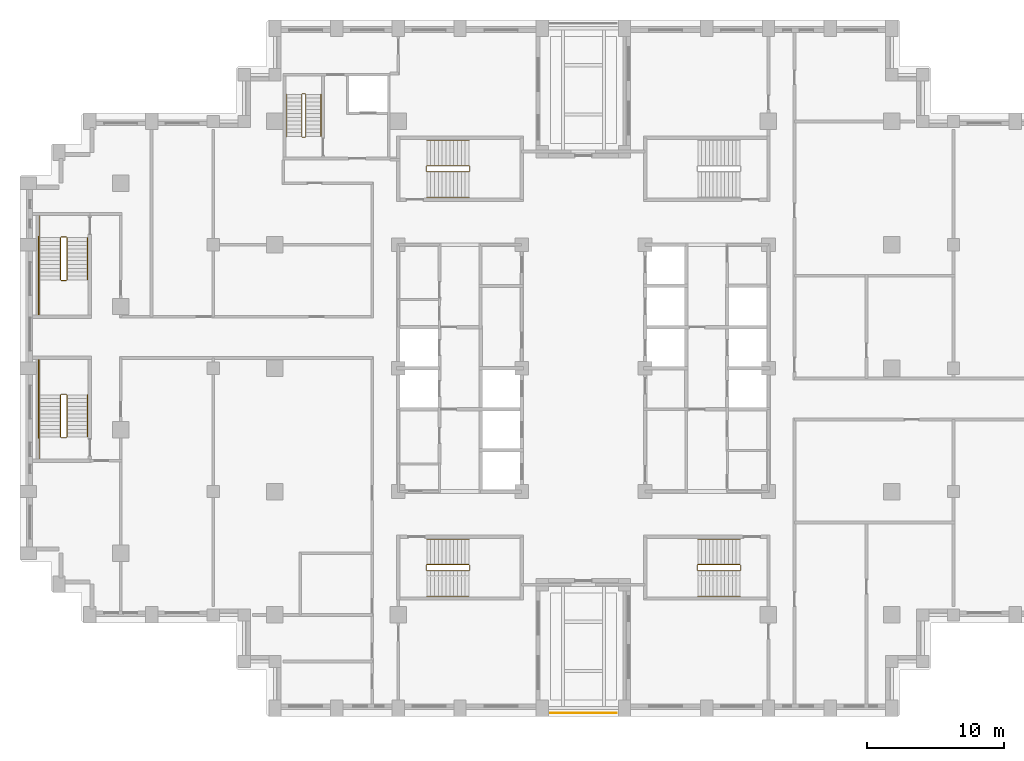
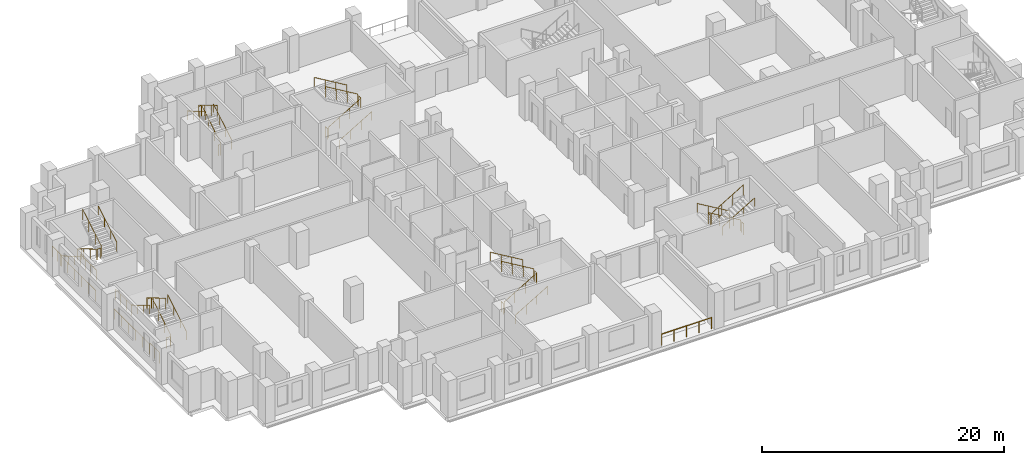
# One storey, part 12 of 13: 7 railings.
"""IFC4 building model written with IfcOpenShell, lengths in metres."""

from ifc_helpers import new_model, si_unit, direction, frame, origin, origin_2d, place, context, subcontext, project, spatial, circle, extrude, material, type_object, element, save


model = new_model("IFC4")

# Units and contexts
model_context = context("Model", 3, precision=1e-05, world=origin(), true_north=direction((0.0, 1.0)))
body_context = subcontext(model_context, "Body", "Model", "MODEL_VIEW")
ifc_project = project(units=[si_unit("LENGTHUNIT", "METRE"), si_unit("AREAUNIT", "SQUARE_METRE"), si_unit("VOLUMEUNIT", "CUBIC_METRE"), si_unit("PLANEANGLEUNIT", "RADIAN"), si_unit("MASSUNIT", "GRAM", prefix="KILO")], contexts=[model_context])

# Site, building, storey
site_placement = place(None, origin())
site = spatial("IfcSite", under=ifc_project, at=site_placement, CompositionType="ELEMENT")
building_placement = place(site_placement, origin())
building = spatial("IfcBuilding", under=site, at=building_placement, Name="Corbelhall Arena Tower", CompositionType="ELEMENT")
storey_placement = place(building_placement, frame((0.0, 0.0, 68.0)))
storey = spatial("IfcBuildingStorey", under=building, at=storey_placement, Name="L09", CompositionType="ELEMENT", Elevation=68.0)

# Railings
ifc_material = material(Name="Steel ASTM A500 Gr C", Category="steel")
railing_type_1 = type_object("IfcRailingType", Name="EV-GD1 Terrace guard 1100", PredefinedType="GUARDRAIL", material=ifc_material)
railing_1_placement = place(storey_placement, frame((-2.39990234375, -25.14990234375, 0.0)))
element("IfcRailing", 1, at=railing_1_placement, inside=storey, type_object=railing_type_1, Name="Guard", PredefinedType="GUARDRAIL", context=body_context, shape_type="SweptSolid", body=[
    extrude(circle(Radius=0.02392578125, at=origin_2d()), frame((0.0, 0.0, 1.1259765625), z_axis=(1.0, 0.0, 0.0), x_axis=(0.0, 1.0, 0.0)), (0.0, 0.0, 1.0), 4.7998046875),
    extrude(circle(Radius=0.02099609375, at=origin_2d()), origin(), (0.0, 0.0, 1.0), 1.101806640625),
    extrude(circle(Radius=0.02099609375, at=origin_2d()), frame((1.199951171875, 0.0, 0.0)), (0.0, 0.0, 1.0), 1.101806640625),
    extrude(circle(Radius=0.02099609375, at=origin_2d()), frame((2.39990234375, 0.0, 0.0)), (0.0, 0.0, 1.0), 1.101806640625),
    extrude(circle(Radius=0.02099609375, at=origin_2d()), frame((3.599853515625, 0.0, 0.0)), (0.0, 0.0, 1.0), 1.101806640625),
    extrude(circle(Radius=0.02099609375, at=origin_2d()), frame((4.7998046875, 0.0, 0.0)), (0.0, 0.0, 1.0), 1.101806640625),
])
railing_type_2 = type_object("IfcRailingType", Name="IN-GD-1100", PredefinedType="GUARDRAIL", material=ifc_material)
railing_2_placement = place(storey_placement, frame((-11.425048828125, 14.324951171875, 0.166748046875)))
element("IfcRailing", 2, at=railing_2_placement, inside=storey, type_object=railing_type_2, Name="L09 ST1 stair guards and handrails", PredefinedType="GUARDRAIL", context=body_context, shape_type="SweptSolid", body=[
    extrude(circle(Radius=0.02392578125, at=origin_2d()), frame((0.0, 0.0, 1.076171875), z_axis=(0.859308565015, 0.0, 0.511457515432), x_axis=(0.0, 1.0, 0.0)), (0.0, 0.0, 1.0), 3.58447265625),
    extrude(circle(Radius=0.02392578125, at=origin_2d()), frame((3.130126953125, 0.050048828125, 2.9091796875), z_axis=(0.0, 1.0, 0.0), x_axis=(-1.0, 0.0, 0.0)), (0.0, 0.0, 1.0), 0.35009765625),
    extrude(circle(Radius=0.02392578125, at=origin_2d()), frame((3.080078125, 0.449951171875, 3.076171875), z_axis=(-0.859308565015, 0.0, 0.511457515432), x_axis=(0.0, -1.0, 0.0)), (0.0, 0.0, 1.0), 3.58447265625),
    extrude(circle(Radius=0.02392578125, at=origin_2d()), frame((-0.050048828125, 0.050048828125, 0.9091796875), z_axis=(0.0, 1.0, 0.0), x_axis=(-1.0, 0.0, 0.0)), (0.0, 0.0, 1.0), 0.35009765625),
    extrude(circle(Radius=0.02392578125, at=origin_2d()), frame((0.0, -1.849853515625, 0.8759765625), z_axis=(0.859308565015, 0.0, 0.511457515432), x_axis=(0.0, 1.0, 0.0)), (0.0, 0.0, 1.0), 3.58447265625),
    extrude(circle(Radius=0.02392578125, at=origin_2d()), frame((3.080078125, 2.300048828125, 2.8759765625), z_axis=(-0.859308565015, 0.0, 0.511457515432), x_axis=(0.0, -1.0, 0.0)), (0.0, 0.0, 1.0), 3.58447265625),
    extrude(circle(Radius=0.02099609375, at=origin_2d()), origin(), (0.0, 0.0, 1.0), 1.052001953125),
    extrude(circle(Radius=0.02099609375, at=origin_2d()), frame((1.026611328125, 0.0, 0.611083984375)), (0.0, 0.0, 1.0), 1.052001953125),
    extrude(circle(Radius=0.02099609375, at=origin_2d()), frame((2.053466796875, 0.0, 1.22216796875)), (0.0, 0.0, 1.0), 1.052001953125),
    extrude(circle(Radius=0.02099609375, at=origin_2d()), frame((3.080078125, 0.0, 1.833251953125)), (0.0, 0.0, 1.0), 1.052001953125),
    extrude(circle(Radius=0.02099609375, at=origin_2d()), frame((3.130126953125, 0.050048828125, 1.833251953125)), (0.0, 0.0, 1.0), 1.052001953125),
    extrude(circle(Radius=0.02099609375, at=origin_2d()), frame((3.130126953125, 0.400146484375, 1.833251953125)), (0.0, 0.0, 1.0), 1.052001953125),
    extrude(circle(Radius=0.02099609375, at=origin_2d()), frame((3.080078125, 0.449951171875, 2.0)), (0.0, 0.0, 1.0), 1.052001953125),
    extrude(circle(Radius=0.02099609375, at=origin_2d()), frame((2.053466796875, 0.449951171875, 2.611083984375)), (0.0, 0.0, 1.0), 1.052001953125),
    extrude(circle(Radius=0.02099609375, at=origin_2d()), frame((1.026611328125, 0.449951171875, 3.22216796875)), (0.0, 0.0, 1.0), 1.052001953125),
    extrude(circle(Radius=0.02099609375, at=origin_2d()), frame((0.0, 0.449951171875, 3.833251953125)), (0.0, 0.0, 1.0), 1.052001953125),
    extrude(circle(Radius=0.02099609375, at=origin_2d()), frame((-0.050048828125, 0.050048828125, -0.166748046875)), (0.0, 0.0, 1.0), 1.052001953125),
    extrude(circle(Radius=0.02099609375, at=origin_2d()), frame((-0.050048828125, 0.400146484375, -0.166748046875)), (0.0, 0.0, 1.0), 1.052001953125),
    extrude(circle(Radius=0.02099609375, at=origin_2d()), frame((0.0, -1.849853515625, 0.0)), (0.0, 0.0, 1.0), 0.851806640625),
    extrude(circle(Radius=0.02099609375, at=origin_2d()), frame((1.026611328125, -1.849853515625, 0.611083984375)), (0.0, 0.0, 1.0), 0.851806640625),
    extrude(circle(Radius=0.02099609375, at=origin_2d()), frame((2.053466796875, -1.849853515625, 1.22216796875)), (0.0, 0.0, 1.0), 0.851806640625),
    extrude(circle(Radius=0.02099609375, at=origin_2d()), frame((3.080078125, -1.849853515625, 1.833251953125)), (0.0, 0.0, 1.0), 0.851806640625),
    extrude(circle(Radius=0.02099609375, at=origin_2d()), frame((3.080078125, 2.300048828125, 2.0)), (0.0, 0.0, 1.0), 0.851806640625),
    extrude(circle(Radius=0.02099609375, at=origin_2d()), frame((2.053466796875, 2.300048828125, 2.611083984375)), (0.0, 0.0, 1.0), 0.851806640625),
    extrude(circle(Radius=0.02099609375, at=origin_2d()), frame((1.026611328125, 2.300048828125, 3.22216796875)), (0.0, 0.0, 1.0), 0.851806640625),
    extrude(circle(Radius=0.02099609375, at=origin_2d()), frame((0.0, 2.300048828125, 3.833251953125)), (0.0, 0.0, 1.0), 0.851806640625),
])
railing_3_placement = place(storey_placement, frame((-11.425048828125, -14.77490234375, 0.166748046875)))
element("IfcRailing", 3, at=railing_3_placement, inside=storey, type_object=railing_type_2, Name="L09 ST2 stair guards and handrails", PredefinedType="GUARDRAIL", context=body_context, shape_type="SweptSolid", body=[
    extrude(circle(Radius=0.02392578125, at=origin_2d()), frame((0.0, 0.0, 1.076171875), z_axis=(0.859308565015, 0.0, 0.511457515432), x_axis=(0.0, 1.0, 0.0)), (0.0, 0.0, 1.0), 3.58447265625),
    extrude(circle(Radius=0.02392578125, at=origin_2d()), frame((3.130126953125, 0.0498046875, 2.9091796875), z_axis=(0.0, 1.0, 0.0), x_axis=(-1.0, 0.0, 0.0)), (0.0, 0.0, 1.0), 0.35009765625),
    extrude(circle(Radius=0.02392578125, at=origin_2d()), frame((3.080078125, 0.449951171875, 3.076171875), z_axis=(-0.859308565015, 0.0, 0.511457515432), x_axis=(0.0, -1.0, 0.0)), (0.0, 0.0, 1.0), 3.58447265625),
    extrude(circle(Radius=0.02392578125, at=origin_2d()), frame((-0.050048828125, 0.0498046875, 0.9091796875), z_axis=(0.0, 1.0, 0.0), x_axis=(-1.0, 0.0, 0.0)), (0.0, 0.0, 1.0), 0.35009765625),
    extrude(circle(Radius=0.02392578125, at=origin_2d()), frame((0.0, -1.85009765625, 0.8759765625), z_axis=(0.859308565015, 0.0, 0.511457515432), x_axis=(0.0, 1.0, 0.0)), (0.0, 0.0, 1.0), 3.58447265625),
    extrude(circle(Radius=0.02392578125, at=origin_2d()), frame((3.080078125, 2.2998046875, 2.8759765625), z_axis=(-0.859308565015, 0.0, 0.511457515432), x_axis=(0.0, -1.0, 0.0)), (0.0, 0.0, 1.0), 3.58447265625),
    extrude(circle(Radius=0.02099609375, at=origin_2d()), origin(), (0.0, 0.0, 1.0), 1.052001953125),
    extrude(circle(Radius=0.02099609375, at=origin_2d()), frame((1.026611328125, 0.0, 0.611083984375)), (0.0, 0.0, 1.0), 1.052001953125),
    extrude(circle(Radius=0.02099609375, at=origin_2d()), frame((2.053466796875, 0.0, 1.22216796875)), (0.0, 0.0, 1.0), 1.052001953125),
    extrude(circle(Radius=0.02099609375, at=origin_2d()), frame((3.080078125, 0.0, 1.833251953125)), (0.0, 0.0, 1.0), 1.052001953125),
    extrude(circle(Radius=0.02099609375, at=origin_2d()), frame((3.130126953125, 0.0498046875, 1.833251953125)), (0.0, 0.0, 1.0), 1.052001953125),
    extrude(circle(Radius=0.02099609375, at=origin_2d()), frame((3.130126953125, 0.39990234375, 1.833251953125)), (0.0, 0.0, 1.0), 1.052001953125),
    extrude(circle(Radius=0.02099609375, at=origin_2d()), frame((3.080078125, 0.449951171875, 2.0)), (0.0, 0.0, 1.0), 1.052001953125),
    extrude(circle(Radius=0.02099609375, at=origin_2d()), frame((2.053466796875, 0.449951171875, 2.611083984375)), (0.0, 0.0, 1.0), 1.052001953125),
    extrude(circle(Radius=0.02099609375, at=origin_2d()), frame((1.026611328125, 0.449951171875, 3.22216796875)), (0.0, 0.0, 1.0), 1.052001953125),
    extrude(circle(Radius=0.02099609375, at=origin_2d()), frame((0.0, 0.449951171875, 3.833251953125)), (0.0, 0.0, 1.0), 1.052001953125),
    extrude(circle(Radius=0.02099609375, at=origin_2d()), frame((-0.050048828125, 0.0498046875, -0.166748046875)), (0.0, 0.0, 1.0), 1.052001953125),
    extrude(circle(Radius=0.02099609375, at=origin_2d()), frame((-0.050048828125, 0.39990234375, -0.166748046875)), (0.0, 0.0, 1.0), 1.052001953125),
    extrude(circle(Radius=0.02099609375, at=origin_2d()), frame((0.0, -1.85009765625, 0.0)), (0.0, 0.0, 1.0), 0.851806640625),
    extrude(circle(Radius=0.02099609375, at=origin_2d()), frame((1.026611328125, -1.85009765625, 0.611083984375)), (0.0, 0.0, 1.0), 0.851806640625),
    extrude(circle(Radius=0.02099609375, at=origin_2d()), frame((2.053466796875, -1.85009765625, 1.22216796875)), (0.0, 0.0, 1.0), 0.851806640625),
    extrude(circle(Radius=0.02099609375, at=origin_2d()), frame((3.080078125, -1.85009765625, 1.833251953125)), (0.0, 0.0, 1.0), 0.851806640625),
    extrude(circle(Radius=0.02099609375, at=origin_2d()), frame((3.080078125, 2.2998046875, 2.0)), (0.0, 0.0, 1.0), 0.851806640625),
    extrude(circle(Radius=0.02099609375, at=origin_2d()), frame((2.053466796875, 2.2998046875, 2.611083984375)), (0.0, 0.0, 1.0), 0.851806640625),
    extrude(circle(Radius=0.02099609375, at=origin_2d()), frame((1.026611328125, 2.2998046875, 3.22216796875)), (0.0, 0.0, 1.0), 0.851806640625),
    extrude(circle(Radius=0.02099609375, at=origin_2d()), frame((0.0, 2.2998046875, 3.833251953125)), (0.0, 0.0, 1.0), 0.851806640625),
])
railing_4_placement = place(storey_placement, frame((11.425048828125, -14.324951171875, 0.166748046875)))
element("IfcRailing", 4, at=railing_4_placement, inside=storey, type_object=railing_type_2, Name="L09 ST4 stair guards and handrails", PredefinedType="GUARDRAIL", context=body_context, shape_type="SweptSolid", body=[
    extrude(circle(Radius=0.02392578125, at=origin_2d()), frame((0.0, 0.0, 1.076171875), z_axis=(-0.859308565015, 0.0, 0.511457515432), x_axis=(0.0, -1.0, 0.0)), (0.0, 0.0, 1.0), 3.58447265625),
    extrude(circle(Radius=0.02392578125, at=origin_2d()), frame((-3.130126953125, -0.050048828125, 2.9091796875), z_axis=(0.0, -1.0, 0.0), x_axis=(1.0, 0.0, 0.0)), (0.0, 0.0, 1.0), 0.35009765625),
    extrude(circle(Radius=0.02392578125, at=origin_2d()), frame((-3.080078125, -0.449951171875, 3.076171875), z_axis=(0.859308565015, 0.0, 0.511457515432), x_axis=(0.0, 1.0, 0.0)), (0.0, 0.0, 1.0), 3.58447265625),
    extrude(circle(Radius=0.02392578125, at=origin_2d()), frame((0.050048828125, -0.050048828125, 0.9091796875), z_axis=(0.0, -1.0, 0.0), x_axis=(1.0, 0.0, 0.0)), (0.0, 0.0, 1.0), 0.35009765625),
    extrude(circle(Radius=0.02392578125, at=origin_2d()), frame((0.0, 1.849853515625, 0.8759765625), z_axis=(-0.859308565015, 0.0, 0.511457515432), x_axis=(0.0, -1.0, 0.0)), (0.0, 0.0, 1.0), 3.58447265625),
    extrude(circle(Radius=0.02392578125, at=origin_2d()), frame((-3.080078125, -2.300048828125, 2.8759765625), z_axis=(0.859308565015, 0.0, 0.511457515432), x_axis=(0.0, 1.0, 0.0)), (0.0, 0.0, 1.0), 3.58447265625),
    extrude(circle(Radius=0.02099609375, at=origin_2d()), origin(), (0.0, 0.0, 1.0), 1.052001953125),
    extrude(circle(Radius=0.02099609375, at=origin_2d()), frame((-1.026611328125, 0.0, 0.611083984375)), (0.0, 0.0, 1.0), 1.052001953125),
    extrude(circle(Radius=0.02099609375, at=origin_2d()), frame((-2.053466796875, 0.0, 1.22216796875)), (0.0, 0.0, 1.0), 1.052001953125),
    extrude(circle(Radius=0.02099609375, at=origin_2d()), frame((-3.080078125, 0.0, 1.833251953125)), (0.0, 0.0, 1.0), 1.052001953125),
    extrude(circle(Radius=0.02099609375, at=origin_2d()), frame((-3.130126953125, -0.050048828125, 1.833251953125)), (0.0, 0.0, 1.0), 1.052001953125),
    extrude(circle(Radius=0.02099609375, at=origin_2d()), frame((-3.130126953125, -0.400146484375, 1.833251953125)), (0.0, 0.0, 1.0), 1.052001953125),
    extrude(circle(Radius=0.02099609375, at=origin_2d()), frame((-3.080078125, -0.449951171875, 2.0)), (0.0, 0.0, 1.0), 1.052001953125),
    extrude(circle(Radius=0.02099609375, at=origin_2d()), frame((-2.053466796875, -0.449951171875, 2.611083984375)), (0.0, 0.0, 1.0), 1.052001953125),
    extrude(circle(Radius=0.02099609375, at=origin_2d()), frame((-1.026611328125, -0.449951171875, 3.22216796875)), (0.0, 0.0, 1.0), 1.052001953125),
    extrude(circle(Radius=0.02099609375, at=origin_2d()), frame((0.0, -0.449951171875, 3.833251953125)), (0.0, 0.0, 1.0), 1.052001953125),
    extrude(circle(Radius=0.02099609375, at=origin_2d()), frame((0.050048828125, -0.050048828125, -0.166748046875)), (0.0, 0.0, 1.0), 1.052001953125),
    extrude(circle(Radius=0.02099609375, at=origin_2d()), frame((0.050048828125, -0.400146484375, -0.166748046875)), (0.0, 0.0, 1.0), 1.052001953125),
    extrude(circle(Radius=0.02099609375, at=origin_2d()), frame((0.0, 1.849853515625, 0.0)), (0.0, 0.0, 1.0), 0.851806640625),
    extrude(circle(Radius=0.02099609375, at=origin_2d()), frame((-1.026611328125, 1.849853515625, 0.611083984375)), (0.0, 0.0, 1.0), 0.851806640625),
    extrude(circle(Radius=0.02099609375, at=origin_2d()), frame((-2.053466796875, 1.849853515625, 1.22216796875)), (0.0, 0.0, 1.0), 0.851806640625),
    extrude(circle(Radius=0.02099609375, at=origin_2d()), frame((-3.080078125, 1.849853515625, 1.833251953125)), (0.0, 0.0, 1.0), 0.851806640625),
    extrude(circle(Radius=0.02099609375, at=origin_2d()), frame((-3.080078125, -2.300048828125, 2.0)), (0.0, 0.0, 1.0), 0.851806640625),
    extrude(circle(Radius=0.02099609375, at=origin_2d()), frame((-2.053466796875, -2.300048828125, 2.611083984375)), (0.0, 0.0, 1.0), 0.851806640625),
    extrude(circle(Radius=0.02099609375, at=origin_2d()), frame((-1.026611328125, -2.300048828125, 3.22216796875)), (0.0, 0.0, 1.0), 0.851806640625),
    extrude(circle(Radius=0.02099609375, at=origin_2d()), frame((0.0, -2.300048828125, 3.833251953125)), (0.0, 0.0, 1.0), 0.851806640625),
])
railing_5_placement = place(storey_placement, frame((-38.14990234375, 9.52490234375, 0.166748046875)))
element("IfcRailing", 5, at=railing_5_placement, inside=storey, type_object=railing_type_2, Name="L09 SC1 stair guards and handrails", PredefinedType="GUARDRAIL", context=body_context, shape_type="SweptSolid", body=[
    extrude(circle(Radius=0.02392578125, at=origin_2d()), frame((0.0, 0.0, 1.076171875), z_axis=(0.0, -0.859290745958, 0.51148745235), x_axis=(1.0, 0.0, 0.0)), (0.0, 0.0, 1.0), 3.584228515625),
    extrude(circle(Radius=0.02392578125, at=origin_2d()), frame((0.0498046875, -3.1298828125, 2.9091796875), z_axis=(1.0, 0.0, 0.0), x_axis=(0.0, 1.0, 0.0)), (0.0, 0.0, 1.0), 0.375),
    extrude(circle(Radius=0.02392578125, at=origin_2d()), frame((-1.5, -3.079833984375, 2.9091796875), z_axis=(0.0, -1.0, 0.0), x_axis=(1.0, 0.0, 0.0)), (0.0, 0.0, 1.0), 2.570068359375),
    extrude(circle(Radius=0.02392578125, at=origin_2d()), frame((0.474853515625, -3.079833984375, 3.076171875), z_axis=(0.0, 0.859290745958, 0.51148745235), x_axis=(-1.0, 0.0, 0.0)), (0.0, 0.0, 1.0), 3.584228515625),
    extrude(circle(Radius=0.02392578125, at=origin_2d()), frame((0.0498046875, 0.050048828125, 0.9091796875), z_axis=(1.0, 0.0, 0.0), x_axis=(0.0, 1.0, 0.0)), (0.0, 0.0, 1.0), 0.375),
    extrude(circle(Radius=0.02392578125, at=origin_2d()), frame((-1.5, 1.60009765625, 0.9091796875), z_axis=(0.0, -1.0, 0.0), x_axis=(1.0, 0.0, 0.0)), (0.0, 0.0, 1.0), 1.60009765625),
    extrude(circle(Radius=0.02392578125, at=origin_2d()), frame((-1.60009765625, 0.10009765625, 0.9091796875), z_axis=(0.0, -1.0, 0.0), x_axis=(1.0, 0.0, 0.0)), (0.0, 0.0, 1.0), 5.85009765625),
    extrude(circle(Radius=0.02392578125, at=origin_2d()), frame((-1.5, 0.0, 0.8759765625), z_axis=(0.0, -0.859290745958, 0.51148745235), x_axis=(1.0, 0.0, 0.0)), (0.0, 0.0, 1.0), 3.584228515625),
    extrude(circle(Radius=0.02392578125, at=origin_2d()), frame((1.974853515625, -3.079833984375, 2.8759765625), z_axis=(0.0, 0.859290745958, 0.51148745235), x_axis=(-1.0, 0.0, 0.0)), (0.0, 0.0, 1.0), 3.584228515625),
    extrude(circle(Radius=0.02099609375, at=origin_2d()), origin(), (0.0, 0.0, 1.0), 1.052001953125),
    extrude(circle(Radius=0.02099609375, at=origin_2d()), frame((0.0, -1.026611328125, 0.611083984375)), (0.0, 0.0, 1.0), 1.052001953125),
    extrude(circle(Radius=0.02099609375, at=origin_2d()), frame((0.0, -2.05322265625, 1.22216796875)), (0.0, 0.0, 1.0), 1.052001953125),
    extrude(circle(Radius=0.02099609375, at=origin_2d()), frame((0.0, -3.079833984375, 1.833251953125)), (0.0, 0.0, 1.0), 1.052001953125),
    extrude(circle(Radius=0.02099609375, at=origin_2d()), frame((0.0498046875, -3.1298828125, 1.833251953125)), (0.0, 0.0, 1.0), 1.052001953125),
    extrude(circle(Radius=0.02099609375, at=origin_2d()), frame((0.4248046875, -3.1298828125, 1.833251953125)), (0.0, 0.0, 1.0), 1.052001953125),
    extrude(circle(Radius=0.02099609375, at=origin_2d()), frame((-1.5, -3.079833984375, 1.833251953125)), (0.0, 0.0, 1.0), 1.052001953125),
    extrude(circle(Radius=0.02099609375, at=origin_2d()), frame((-1.5, -3.9365234375, 1.833251953125)), (0.0, 0.0, 1.0), 1.052001953125),
    extrude(circle(Radius=0.02099609375, at=origin_2d()), frame((-1.5, -4.793212890625, 1.833251953125)), (0.0, 0.0, 1.0), 1.052001953125),
    extrude(circle(Radius=0.02099609375, at=origin_2d()), frame((-1.5, -5.64990234375, 1.833251953125)), (0.0, 0.0, 1.0), 1.052001953125),
    extrude(circle(Radius=0.02099609375, at=origin_2d()), frame((0.474853515625, -3.079833984375, 2.0)), (0.0, 0.0, 1.0), 1.052001953125),
    extrude(circle(Radius=0.02099609375, at=origin_2d()), frame((0.474853515625, -2.05322265625, 2.611083984375)), (0.0, 0.0, 1.0), 1.052001953125),
    extrude(circle(Radius=0.02099609375, at=origin_2d()), frame((0.474853515625, -1.026611328125, 3.22216796875)), (0.0, 0.0, 1.0), 1.052001953125),
    extrude(circle(Radius=0.02099609375, at=origin_2d()), frame((0.474853515625, 0.0, 3.833251953125)), (0.0, 0.0, 1.0), 1.052001953125),
    extrude(circle(Radius=0.02099609375, at=origin_2d()), frame((0.0498046875, 0.050048828125, -0.166748046875)), (0.0, 0.0, 1.0), 1.052001953125),
    extrude(circle(Radius=0.02099609375, at=origin_2d()), frame((0.4248046875, 0.050048828125, -0.166748046875)), (0.0, 0.0, 1.0), 1.052001953125),
    extrude(circle(Radius=0.02099609375, at=origin_2d()), frame((-1.5, 1.60009765625, -0.166748046875)), (0.0, 0.0, 1.0), 1.052001953125),
    extrude(circle(Radius=0.02099609375, at=origin_2d()), frame((-1.5, 0.800048828125, -0.166748046875)), (0.0, 0.0, 1.0), 1.052001953125),
    extrude(circle(Radius=0.02099609375, at=origin_2d()), frame((-1.5, 0.0, -0.166748046875)), (0.0, 0.0, 1.0), 1.052001953125),
    extrude(circle(Radius=0.02099609375, at=origin_2d()), frame((-1.60009765625, 0.10009765625, -0.166748046875)), (0.0, 0.0, 1.0), 1.052001953125),
    extrude(circle(Radius=0.02099609375, at=origin_2d()), frame((-1.60009765625, -1.06982421875, -0.166748046875)), (0.0, 0.0, 1.0), 1.052001953125),
    extrude(circle(Radius=0.02099609375, at=origin_2d()), frame((-1.60009765625, -2.239990234375, -0.166748046875)), (0.0, 0.0, 1.0), 1.052001953125),
    extrude(circle(Radius=0.02099609375, at=origin_2d()), frame((-1.60009765625, -3.409912109375, -0.166748046875)), (0.0, 0.0, 1.0), 1.052001953125),
    extrude(circle(Radius=0.02099609375, at=origin_2d()), frame((-1.60009765625, -4.580078125, -0.166748046875)), (0.0, 0.0, 1.0), 1.052001953125),
    extrude(circle(Radius=0.02099609375, at=origin_2d()), frame((-1.60009765625, -5.75, -0.166748046875)), (0.0, 0.0, 1.0), 1.052001953125),
    extrude(circle(Radius=0.02099609375, at=origin_2d()), frame((-1.5, 0.0, 0.0)), (0.0, 0.0, 1.0), 0.851806640625),
    extrude(circle(Radius=0.02099609375, at=origin_2d()), frame((-1.5, -1.026611328125, 0.611083984375)), (0.0, 0.0, 1.0), 0.851806640625),
    extrude(circle(Radius=0.02099609375, at=origin_2d()), frame((-1.5, -2.05322265625, 1.22216796875)), (0.0, 0.0, 1.0), 0.851806640625),
    extrude(circle(Radius=0.02099609375, at=origin_2d()), frame((1.974853515625, -3.079833984375, 2.0)), (0.0, 0.0, 1.0), 0.851806640625),
    extrude(circle(Radius=0.02099609375, at=origin_2d()), frame((1.974853515625, -2.05322265625, 2.611083984375)), (0.0, 0.0, 1.0), 0.851806640625),
    extrude(circle(Radius=0.02099609375, at=origin_2d()), frame((1.974853515625, -1.026611328125, 3.22216796875)), (0.0, 0.0, 1.0), 0.851806640625),
    extrude(circle(Radius=0.02099609375, at=origin_2d()), frame((1.974853515625, 0.0, 3.833251953125)), (0.0, 0.0, 1.0), 0.851806640625),
])
railing_6_placement = place(storey_placement, frame((-37.675048828125, -5.02490234375, 0.166748046875)))
element("IfcRailing", 6, at=railing_6_placement, inside=storey, type_object=railing_type_2, Name="L09 SC2 stair guards and handrails", PredefinedType="GUARDRAIL", context=body_context, shape_type="SweptSolid", body=[
    extrude(circle(Radius=0.02392578125, at=origin_2d()), frame((0.0, 0.0, 1.076171875), z_axis=(0.0, 0.859290745958, 0.51148745235), x_axis=(-1.0, 0.0, 0.0)), (0.0, 0.0, 1.0), 3.584228515625),
    extrude(circle(Radius=0.02392578125, at=origin_2d()), frame((-0.050048828125, 3.1298828125, 2.9091796875), z_axis=(-1.0, 0.0, 0.0), x_axis=(0.0, -1.0, 0.0)), (0.0, 0.0, 1.0), 0.375),
    extrude(circle(Radius=0.02392578125, at=origin_2d()), frame((-1.974853515625, 3.079833984375, 2.9091796875), z_axis=(0.0, 1.0, 0.0), x_axis=(-1.0, 0.0, 0.0)), (0.0, 0.0, 1.0), 2.570068359375),
    extrude(circle(Radius=0.02392578125, at=origin_2d()), frame((-0.474853515625, 3.079833984375, 3.076171875), z_axis=(0.0, -0.859290745958, 0.51148745235), x_axis=(1.0, 0.0, 0.0)), (0.0, 0.0, 1.0), 3.584228515625),
    extrude(circle(Radius=0.02392578125, at=origin_2d()), frame((-0.050048828125, -0.050048828125, 0.9091796875), z_axis=(-1.0, 0.0, 0.0), x_axis=(0.0, -1.0, 0.0)), (0.0, 0.0, 1.0), 0.375),
    extrude(circle(Radius=0.02392578125, at=origin_2d()), frame((-1.974853515625, -1.60009765625, 0.9091796875), z_axis=(0.0, 1.0, 0.0), x_axis=(-1.0, 0.0, 0.0)), (0.0, 0.0, 1.0), 1.60009765625),
    extrude(circle(Radius=0.02392578125, at=origin_2d()), frame((-2.074951171875, -0.10009765625, 0.9091796875), z_axis=(0.0, 1.0, 0.0), x_axis=(-1.0, 0.0, 0.0)), (0.0, 0.0, 1.0), 5.85009765625),
    extrude(circle(Radius=0.02392578125, at=origin_2d()), frame((1.5, 0.0, 0.8759765625), z_axis=(0.0, 0.859290745958, 0.51148745235), x_axis=(-1.0, 0.0, 0.0)), (0.0, 0.0, 1.0), 3.584228515625),
    extrude(circle(Radius=0.02392578125, at=origin_2d()), frame((-1.974853515625, 3.079833984375, 2.8759765625), z_axis=(0.0, -0.859290745958, 0.51148745235), x_axis=(1.0, 0.0, 0.0)), (0.0, 0.0, 1.0), 3.584228515625),
    extrude(circle(Radius=0.02099609375, at=origin_2d()), origin(), (0.0, 0.0, 1.0), 1.052001953125),
    extrude(circle(Radius=0.02099609375, at=origin_2d()), frame((0.0, 1.026611328125, 0.611083984375)), (0.0, 0.0, 1.0), 1.052001953125),
    extrude(circle(Radius=0.02099609375, at=origin_2d()), frame((0.0, 2.05322265625, 1.22216796875)), (0.0, 0.0, 1.0), 1.052001953125),
    extrude(circle(Radius=0.02099609375, at=origin_2d()), frame((0.0, 3.079833984375, 1.833251953125)), (0.0, 0.0, 1.0), 1.052001953125),
    extrude(circle(Radius=0.02099609375, at=origin_2d()), frame((-0.050048828125, 3.1298828125, 1.833251953125)), (0.0, 0.0, 1.0), 1.052001953125),
    extrude(circle(Radius=0.02099609375, at=origin_2d()), frame((-0.425048828125, 3.1298828125, 1.833251953125)), (0.0, 0.0, 1.0), 1.052001953125),
    extrude(circle(Radius=0.02099609375, at=origin_2d()), frame((-1.974853515625, 3.079833984375, 1.833251953125)), (0.0, 0.0, 1.0), 1.052001953125),
    extrude(circle(Radius=0.02099609375, at=origin_2d()), frame((-1.974853515625, 3.9365234375, 1.833251953125)), (0.0, 0.0, 1.0), 1.052001953125),
    extrude(circle(Radius=0.02099609375, at=origin_2d()), frame((-1.974853515625, 4.793212890625, 1.833251953125)), (0.0, 0.0, 1.0), 1.052001953125),
    extrude(circle(Radius=0.02099609375, at=origin_2d()), frame((-1.974853515625, 5.64990234375, 1.833251953125)), (0.0, 0.0, 1.0), 1.052001953125),
    extrude(circle(Radius=0.02099609375, at=origin_2d()), frame((-0.474853515625, 3.079833984375, 2.0)), (0.0, 0.0, 1.0), 1.052001953125),
    extrude(circle(Radius=0.02099609375, at=origin_2d()), frame((-0.474853515625, 2.05322265625, 2.611083984375)), (0.0, 0.0, 1.0), 1.052001953125),
    extrude(circle(Radius=0.02099609375, at=origin_2d()), frame((-0.474853515625, 1.026611328125, 3.22216796875)), (0.0, 0.0, 1.0), 1.052001953125),
    extrude(circle(Radius=0.02099609375, at=origin_2d()), frame((-0.474853515625, 0.0, 3.833251953125)), (0.0, 0.0, 1.0), 1.052001953125),
    extrude(circle(Radius=0.02099609375, at=origin_2d()), frame((-0.050048828125, -0.050048828125, -0.166748046875)), (0.0, 0.0, 1.0), 1.052001953125),
    extrude(circle(Radius=0.02099609375, at=origin_2d()), frame((-0.425048828125, -0.050048828125, -0.166748046875)), (0.0, 0.0, 1.0), 1.052001953125),
    extrude(circle(Radius=0.02099609375, at=origin_2d()), frame((-1.974853515625, -1.60009765625, -0.166748046875)), (0.0, 0.0, 1.0), 1.052001953125),
    extrude(circle(Radius=0.02099609375, at=origin_2d()), frame((-1.974853515625, -0.800048828125, -0.166748046875)), (0.0, 0.0, 1.0), 1.052001953125),
    extrude(circle(Radius=0.02099609375, at=origin_2d()), frame((-1.974853515625, 0.0, -0.166748046875)), (0.0, 0.0, 1.0), 1.052001953125),
    extrude(circle(Radius=0.02099609375, at=origin_2d()), frame((-2.074951171875, -0.10009765625, -0.166748046875)), (0.0, 0.0, 1.0), 1.052001953125),
    extrude(circle(Radius=0.02099609375, at=origin_2d()), frame((-2.074951171875, 1.06982421875, -0.166748046875)), (0.0, 0.0, 1.0), 1.052001953125),
    extrude(circle(Radius=0.02099609375, at=origin_2d()), frame((-2.074951171875, 2.239990234375, -0.166748046875)), (0.0, 0.0, 1.0), 1.052001953125),
    extrude(circle(Radius=0.02099609375, at=origin_2d()), frame((-2.074951171875, 3.409912109375, -0.166748046875)), (0.0, 0.0, 1.0), 1.052001953125),
    extrude(circle(Radius=0.02099609375, at=origin_2d()), frame((-2.074951171875, 4.580078125, -0.166748046875)), (0.0, 0.0, 1.0), 1.052001953125),
    extrude(circle(Radius=0.02099609375, at=origin_2d()), frame((-2.074951171875, 5.75, -0.166748046875)), (0.0, 0.0, 1.0), 1.052001953125),
    extrude(circle(Radius=0.02099609375, at=origin_2d()), frame((1.5, 0.0, 0.0)), (0.0, 0.0, 1.0), 0.851806640625),
    extrude(circle(Radius=0.02099609375, at=origin_2d()), frame((1.5, 1.026611328125, 0.611083984375)), (0.0, 0.0, 1.0), 0.851806640625),
    extrude(circle(Radius=0.02099609375, at=origin_2d()), frame((1.5, 2.05322265625, 1.22216796875)), (0.0, 0.0, 1.0), 0.851806640625),
    extrude(circle(Radius=0.02099609375, at=origin_2d()), frame((1.5, 3.079833984375, 1.833251953125)), (0.0, 0.0, 1.0), 0.851806640625),
    extrude(circle(Radius=0.02099609375, at=origin_2d()), frame((-1.974853515625, 3.079833984375, 2.0)), (0.0, 0.0, 1.0), 0.851806640625),
    extrude(circle(Radius=0.02099609375, at=origin_2d()), frame((-1.974853515625, 2.05322265625, 2.611083984375)), (0.0, 0.0, 1.0), 0.851806640625),
    extrude(circle(Radius=0.02099609375, at=origin_2d()), frame((-1.974853515625, 1.026611328125, 3.22216796875)), (0.0, 0.0, 1.0), 0.851806640625),
    extrude(circle(Radius=0.02099609375, at=origin_2d()), frame((-1.974853515625, 0.0, 3.833251953125)), (0.0, 0.0, 1.0), 0.851806640625),
])
railing_7_placement = place(storey_placement, frame((-20.2451171875, 16.89990234375, 0.166748046875)))
element("IfcRailing", 7, at=railing_7_placement, inside=storey, type_object=railing_type_2, Name="L09 ST5 stair guards and handrails", PredefinedType="GUARDRAIL", context=body_context, shape_type="SweptSolid", body=[
    extrude(circle(Radius=0.02392578125, at=origin_2d()), frame((0.0, 0.0, 1.076171875), z_axis=(0.0, 0.859308565015, 0.511457515432), x_axis=(-1.0, 0.0, 0.0)), (0.0, 0.0, 1.0), 3.58447265625),
    extrude(circle(Radius=0.02392578125, at=origin_2d()), frame((-0.0498046875, 3.130126953125, 2.9091796875), z_axis=(-1.0, 0.0, 0.0), x_axis=(0.0, -1.0, 0.0)), (0.0, 0.0, 1.0), 0.2001953125),
    extrude(circle(Radius=0.02392578125, at=origin_2d()), frame((-0.2998046875, 3.080078125, 3.076171875), z_axis=(0.0, -0.859308565015, 0.511457515432), x_axis=(1.0, 0.0, 0.0)), (0.0, 0.0, 1.0), 3.58447265625),
    extrude(circle(Radius=0.02392578125, at=origin_2d()), frame((-0.0498046875, -0.0498046875, 0.9091796875), z_axis=(-1.0, 0.0, 0.0), x_axis=(0.0, -1.0, 0.0)), (0.0, 0.0, 1.0), 0.2001953125),
    extrude(circle(Radius=0.02392578125, at=origin_2d()), frame((1.10009765625, 0.0, 0.8759765625), z_axis=(0.0, 0.859308565015, 0.511457515432), x_axis=(-1.0, 0.0, 0.0)), (0.0, 0.0, 1.0), 3.58447265625),
    extrude(circle(Radius=0.02392578125, at=origin_2d()), frame((-1.39990234375, 3.080078125, 2.8759765625), z_axis=(0.0, -0.859308565015, 0.511457515432), x_axis=(1.0, 0.0, 0.0)), (0.0, 0.0, 1.0), 3.58447265625),
    extrude(circle(Radius=0.02099609375, at=origin_2d()), origin(), (0.0, 0.0, 1.0), 1.052001953125),
    extrude(circle(Radius=0.02099609375, at=origin_2d()), frame((0.0, 1.026611328125, 0.611083984375)), (0.0, 0.0, 1.0), 1.052001953125),
    extrude(circle(Radius=0.02099609375, at=origin_2d()), frame((0.0, 2.053466796875, 1.22216796875)), (0.0, 0.0, 1.0), 1.052001953125),
    extrude(circle(Radius=0.02099609375, at=origin_2d()), frame((0.0, 3.080078125, 1.833251953125)), (0.0, 0.0, 1.0), 1.052001953125),
    extrude(circle(Radius=0.02099609375, at=origin_2d()), frame((-0.0498046875, 3.130126953125, 1.833251953125)), (0.0, 0.0, 1.0), 1.052001953125),
    extrude(circle(Radius=0.02099609375, at=origin_2d()), frame((-0.25, 3.130126953125, 1.833251953125)), (0.0, 0.0, 1.0), 1.052001953125),
    extrude(circle(Radius=0.02099609375, at=origin_2d()), frame((-0.2998046875, 3.080078125, 2.0)), (0.0, 0.0, 1.0), 1.052001953125),
    extrude(circle(Radius=0.02099609375, at=origin_2d()), frame((-0.2998046875, 2.053466796875, 2.611083984375)), (0.0, 0.0, 1.0), 1.052001953125),
    extrude(circle(Radius=0.02099609375, at=origin_2d()), frame((-0.2998046875, 1.026611328125, 3.22216796875)), (0.0, 0.0, 1.0), 1.052001953125),
    extrude(circle(Radius=0.02099609375, at=origin_2d()), frame((-0.2998046875, 0.0, 3.833251953125)), (0.0, 0.0, 1.0), 1.052001953125),
    extrude(circle(Radius=0.02099609375, at=origin_2d()), frame((-0.0498046875, -0.0498046875, -0.166748046875)), (0.0, 0.0, 1.0), 1.052001953125),
    extrude(circle(Radius=0.02099609375, at=origin_2d()), frame((-0.25, -0.0498046875, -0.166748046875)), (0.0, 0.0, 1.0), 1.052001953125),
    extrude(circle(Radius=0.02099609375, at=origin_2d()), frame((1.10009765625, 0.0, 0.0)), (0.0, 0.0, 1.0), 0.851806640625),
    extrude(circle(Radius=0.02099609375, at=origin_2d()), frame((1.10009765625, 1.026611328125, 0.611083984375)), (0.0, 0.0, 1.0), 0.851806640625),
    extrude(circle(Radius=0.02099609375, at=origin_2d()), frame((1.10009765625, 2.053466796875, 1.22216796875)), (0.0, 0.0, 1.0), 0.851806640625),
    extrude(circle(Radius=0.02099609375, at=origin_2d()), frame((1.10009765625, 3.080078125, 1.833251953125)), (0.0, 0.0, 1.0), 0.851806640625),
    extrude(circle(Radius=0.02099609375, at=origin_2d()), frame((-1.39990234375, 3.080078125, 2.0)), (0.0, 0.0, 1.0), 0.851806640625),
    extrude(circle(Radius=0.02099609375, at=origin_2d()), frame((-1.39990234375, 2.053466796875, 2.611083984375)), (0.0, 0.0, 1.0), 0.851806640625),
    extrude(circle(Radius=0.02099609375, at=origin_2d()), frame((-1.39990234375, 1.026611328125, 3.22216796875)), (0.0, 0.0, 1.0), 0.851806640625),
    extrude(circle(Radius=0.02099609375, at=origin_2d()), frame((-1.39990234375, 0.0, 3.833251953125)), (0.0, 0.0, 1.0), 0.851806640625),
])

save(model, "model.ifc")
